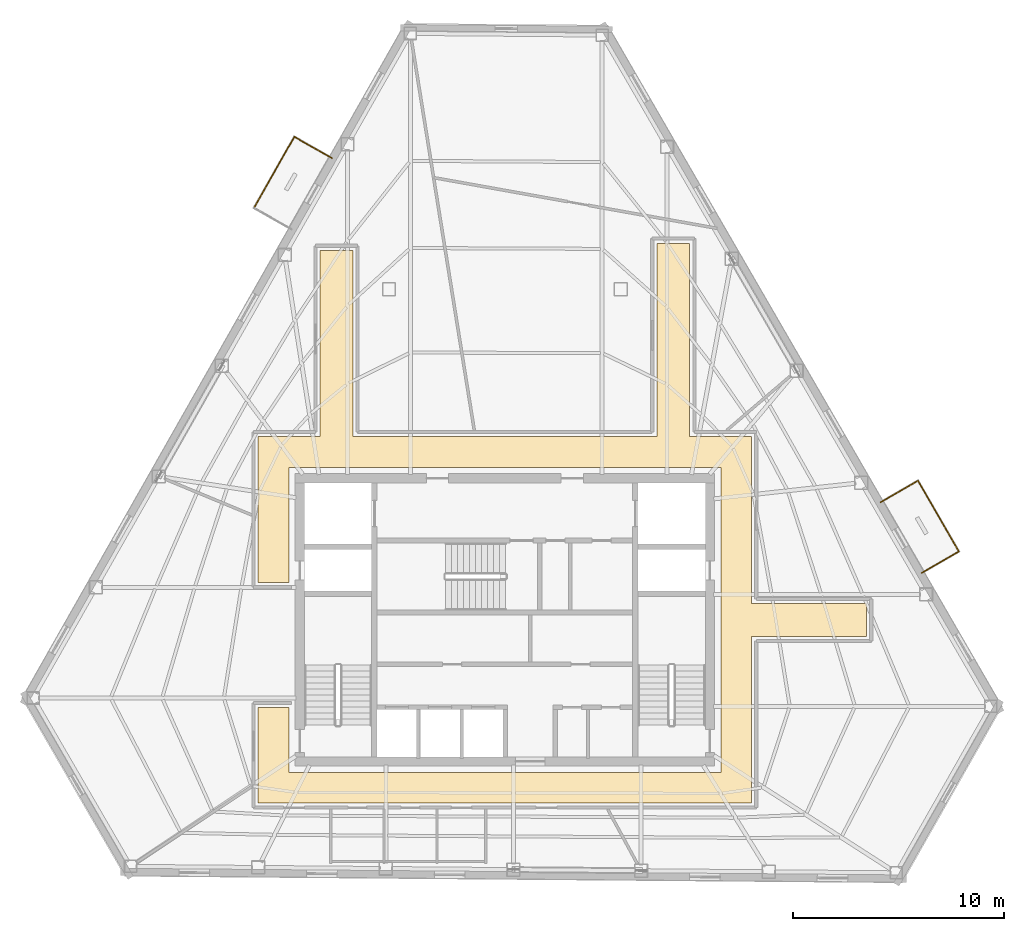
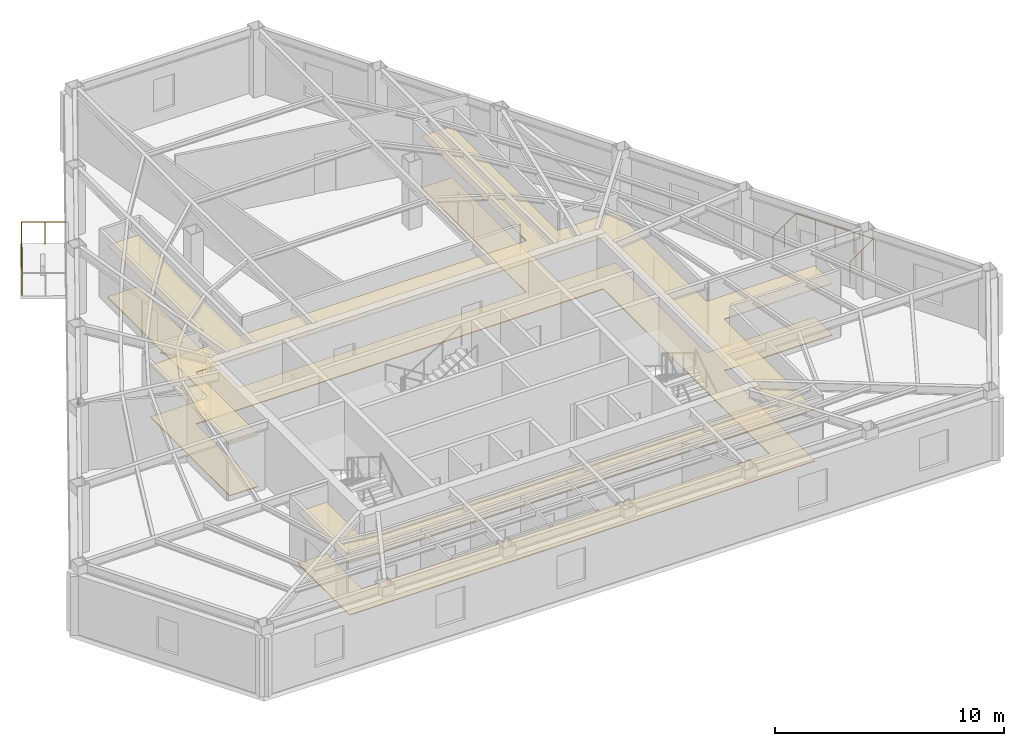
# One storey, part 9 of 9: 5 railings, 2 coverings.
"""IFC4 building model written with IfcOpenShell, lengths in metres."""

from ifc_helpers import new_model, si_unit, direction, frame, origin, origin_2d, place, context, subcontext, project, spatial, polyline, circle, outline, extrude, material, layer, layer_set, type_object, element, save


model = new_model("IFC4")

# Units and contexts
model_context = context("Model", 3, precision=1e-05, world=origin(), true_north=direction((0.0, 1.0)))
body_context = subcontext(model_context, "Body", "Model", "MODEL_VIEW")
ifc_project = project(units=[si_unit("LENGTHUNIT", "METRE"), si_unit("AREAUNIT", "SQUARE_METRE"), si_unit("VOLUMEUNIT", "CUBIC_METRE"), si_unit("PLANEANGLEUNIT", "RADIAN"), si_unit("MASSUNIT", "GRAM", prefix="KILO")], contexts=[model_context])

# Site, building, storey
site_placement = place(None, origin())
site = spatial("IfcSite", under=ifc_project, at=site_placement, CompositionType="ELEMENT")
building_placement = place(site_placement, origin())
building = spatial("IfcBuilding", under=site, at=building_placement, Name="Kavelnor Concourse Tower", CompositionType="ELEMENT")
storey_placement = place(building_placement, frame((0.0, 0.0, 176.550048828125)))
storey = spatial("IfcBuildingStorey", under=building, at=storey_placement, Name="L44", CompositionType="ELEMENT", Elevation=176.550048828125)

# Coverings
ifc_material_1 = material(Name="Mineral fibre acoustic ceiling tile")
ifc_layer_1 = layer(ifc_material_1, 0.0400390625, Name="Mineral fibre acoustic ceiling tile")
ifc_layer_set_1 = layer_set([ifc_layer_1], Name="Mineral fibre acoustic ceiling tile")
covering_type_1 = type_object("IfcCoveringType", Name="COV-CEILING-ACOUSTIC", PredefinedType="CEILING", material=ifc_layer_set_1)
covering_1_placement = place(storey_placement, frame((0.0, 0.0, 2.75)))
element("IfcCovering", 1, at=covering_1_placement, inside=storey, type_object=covering_type_1, Name="L44 Suspended Acoustic Ceiling", PredefinedType="CEILING", context=body_context, shape_type="SweptSolid", body=[
    extrude(outline(polyline([(29.219970703125, 24.800048828125), (29.219970703125, 33.64453125), (30.780029296875, 33.64453125), (30.780029296875, 24.800048828125), (45.219970703125, 24.800048828125), (45.219970703125, 33.9794921875), (46.780029296875, 33.9794921875), (46.780029296875, 24.800048828125), (49.719970703125, 24.800048828125), (49.719970703125, 16.8798828125), (55.179931640625, 16.8798828125), (55.179931640625, 15.320068359375), (49.719970703125, 15.320068359375), (49.719970703125, 7.39990234375), (26.280029296875, 7.39990234375), (26.280029296875, 11.929931640625), (27.739990234375, 11.929931640625), (27.739990234375, 8.860107421875), (48.260009765625, 8.860107421875), (48.260009765625, 23.340087890625), (27.739990234375, 23.340087890625), (27.739990234375, 17.8701171875), (26.280029296875, 17.8701171875), (26.280029296875, 24.800048828125), (29.219970703125, 24.800048828125)])), origin(), (0.0, 0.0, 1.0), 0.0400390625),
])
ifc_material_2 = material(Name="Honed bluestone and raised access floor finish", Category="masonry")
ifc_layer_2 = layer(ifc_material_2, 0.0400390625, Name="Honed bluestone and raised access floor finish")
ifc_layer_set_2 = layer_set([ifc_layer_2], Name="Honed bluestone and raised access floor finish")
covering_type_2 = type_object("IfcCoveringType", Name="COV-FLOOR-STONE", PredefinedType="FLOORING", material=ifc_layer_set_2)
covering_2_placement = place(storey_placement, frame((0.0, 0.0, 0.001953125)))
element("IfcCovering", 2, at=covering_2_placement, inside=storey, type_object=covering_type_2, Name="L44 Honed Bluestone Floor Finish", PredefinedType="FLOORING", context=body_context, shape_type="SweptSolid", body=[
    extrude(outline(polyline([(29.219970703125, 24.800048828125), (29.219970703125, 33.64453125), (30.780029296875, 33.64453125), (30.780029296875, 24.800048828125), (45.219970703125, 24.800048828125), (45.219970703125, 33.9794921875), (46.780029296875, 33.9794921875), (46.780029296875, 24.800048828125), (49.719970703125, 24.800048828125), (49.719970703125, 16.8798828125), (55.179931640625, 16.8798828125), (55.179931640625, 15.320068359375), (49.719970703125, 15.320068359375), (49.719970703125, 7.39990234375), (26.280029296875, 7.39990234375), (26.280029296875, 11.929931640625), (27.739990234375, 11.929931640625), (27.739990234375, 8.860107421875), (48.260009765625, 8.860107421875), (48.260009765625, 23.340087890625), (27.739990234375, 23.340087890625), (27.739990234375, 17.8701171875), (26.280029296875, 17.8701171875), (26.280029296875, 24.800048828125), (29.219970703125, 24.800048828125)])), origin(), (0.0, 0.0, 1.0), 0.0400390625),
])

# Railings
ifc_material_3 = material(Name="Architectural bronze-anodised aluminium", Category="aluminium")
railing_type = type_object("IfcRailingType", Name="RLG-TERRACE-1200", PredefinedType="BALUSTRADE", material=ifc_material_3)
railing_1_placement = place(storey_placement, frame((57.784423828125, 18.32373046875, 0.0)))
element("IfcRailing", 3, at=railing_1_placement, inside=storey, type_object=railing_type, Name="L44 Tree Balcony 1 Guardrail L", PredefinedType="BALUSTRADE", context=body_context, shape_type="SweptSolid", body=[
    extrude(circle(Radius=0.02392578125, at=origin_2d()), frame((0.0, 0.0, 1.17578125), z_axis=(0.865437156691, 0.501017492528, 0.0), x_axis=(-0.501017492528, 0.865437156691, 0.0)), (0.0, 0.0, 1.0), 2.050048828125),
    extrude(circle(Radius=0.02099609375, at=origin_2d()), origin(), (0.0, 0.0, 1.0), 1.15185546875),
    extrude(circle(Radius=0.02099609375, at=origin_2d()), frame((0.88720703125, 0.513671875, 0.0)), (0.0, 0.0, 1.0), 1.15185546875),
    extrude(circle(Radius=0.02099609375, at=origin_2d()), frame((1.774169921875, 1.027099609375, 0.0)), (0.0, 0.0, 1.0), 1.15185546875),
])
railing_2_placement = place(storey_placement, frame((59.55859375, 19.350830078125, 0.0)))
element("IfcRailing", 4, at=railing_2_placement, inside=storey, type_object=railing_type, Name="L44 Tree Balcony 1 Guardrail F", PredefinedType="BALUSTRADE", context=body_context, shape_type="SweptSolid", body=[
    extrude(circle(Radius=0.02392578125, at=origin_2d()), frame((0.0, 0.0, 1.17578125), z_axis=(-0.501043711445, 0.865421977547, 0.0), x_axis=(-0.865421977547, -0.501043711445, 0.0)), (0.0, 0.0, 1.0), 3.880126953125),
    extrude(circle(Radius=0.02099609375, at=origin_2d()), origin(), (0.0, 0.0, 1.0), 1.15185546875),
    extrude(circle(Radius=0.02099609375, at=origin_2d()), frame((-0.486083984375, 0.83935546875, 0.0)), (0.0, 0.0, 1.0), 1.15185546875),
    extrude(circle(Radius=0.02099609375, at=origin_2d()), frame((-0.97216796875, 1.678955078125, 0.0)), (0.0, 0.0, 1.0), 1.15185546875),
    extrude(circle(Radius=0.02099609375, at=origin_2d()), frame((-1.4580078125, 2.5185546875, 0.0)), (0.0, 0.0, 1.0), 1.15185546875),
    extrude(circle(Radius=0.02099609375, at=origin_2d()), frame((-1.944091796875, 3.35791015625, 0.0)), (0.0, 0.0, 1.0), 1.15185546875),
])
railing_3_placement = place(storey_placement, frame((57.614501953125, 22.708740234375, 0.0)))
element("IfcRailing", 5, at=railing_3_placement, inside=storey, type_object=railing_type, Name="L44 Tree Balcony 1 Guardrail R", PredefinedType="BALUSTRADE", context=body_context, shape_type="SweptSolid", body=[
    extrude(circle(Radius=0.02392578125, at=origin_2d()), frame((0.0, 0.0, 1.17578125), z_axis=(-0.865437156691, -0.501017492528, 0.0), x_axis=(0.501017492528, -0.865437156691, 0.0)), (0.0, 0.0, 1.0), 2.050048828125),
    extrude(circle(Radius=0.02099609375, at=origin_2d()), origin(), (0.0, 0.0, 1.0), 1.15185546875),
    extrude(circle(Radius=0.02099609375, at=origin_2d()), frame((-0.88720703125, -0.513671875, 0.0)), (0.0, 0.0, 1.0), 1.15185546875),
    extrude(circle(Radius=0.02099609375, at=origin_2d()), frame((-1.774169921875, -1.027099609375, 0.0)), (0.0, 0.0, 1.0), 1.15185546875),
])
railing_4_placement = place(storey_placement, frame((29.78662109375, 38.0263671875, 0.0)))
element("IfcRailing", 6, at=railing_4_placement, inside=storey, type_object=railing_type, Name="L44 Tree Balcony 2 Guardrail L", PredefinedType="BALUSTRADE", context=body_context, shape_type="SweptSolid", body=[
    extrude(circle(Radius=0.02392578125, at=origin_2d()), frame((0.0, 0.0, 1.17578125), z_axis=(-0.869654132014, 0.49366151427, 0.0), x_axis=(-0.49366151427, -0.869654132014, 0.0)), (0.0, 0.0, 1.0), 2.0498046875),
    extrude(circle(Radius=0.02099609375, at=origin_2d()), origin(), (0.0, 0.0, 1.0), 1.15185546875),
    extrude(circle(Radius=0.02099609375, at=origin_2d()), frame((-0.891357421875, 0.505859375, 0.0)), (0.0, 0.0, 1.0), 1.15185546875),
    extrude(circle(Radius=0.02099609375, at=origin_2d()), frame((-1.78271484375, 1.011962890625, 0.0)), (0.0, 0.0, 1.0), 1.15185546875),
])
railing_5_placement = place(storey_placement, frame((28.00390625, 39.038330078125, 0.0)))
element("IfcRailing", 7, at=railing_5_placement, inside=storey, type_object=railing_type, Name="L44 Tree Balcony 2 Guardrail F", PredefinedType="BALUSTRADE", context=body_context, shape_type="SweptSolid", body=[
    extrude(circle(Radius=0.02392578125, at=origin_2d()), frame((0.0, 0.0, 1.17578125), z_axis=(-0.493758578652, -0.869599025993, 0.0), x_axis=(0.869599025993, -0.493758578652, 0.0)), (0.0, 0.0, 1.0), 3.8798828125),
    extrude(circle(Radius=0.02099609375, at=origin_2d()), origin(), (0.0, 0.0, 1.0), 1.15185546875),
    extrude(circle(Radius=0.02099609375, at=origin_2d()), frame((-0.47900390625, -0.843505859375, 0.0)), (0.0, 0.0, 1.0), 1.15185546875),
    extrude(circle(Radius=0.02099609375, at=origin_2d()), frame((-0.9580078125, -1.68701171875, 0.0)), (0.0, 0.0, 1.0), 1.15185546875),
    extrude(circle(Radius=0.02099609375, at=origin_2d()), frame((-1.436767578125, -2.530517578125, 0.0)), (0.0, 0.0, 1.0), 1.15185546875),
    extrude(circle(Radius=0.02099609375, at=origin_2d()), frame((-1.915771484375, -3.3740234375, 0.0)), (0.0, 0.0, 1.0), 1.15185546875),
])

save(model, "model.ifc")
